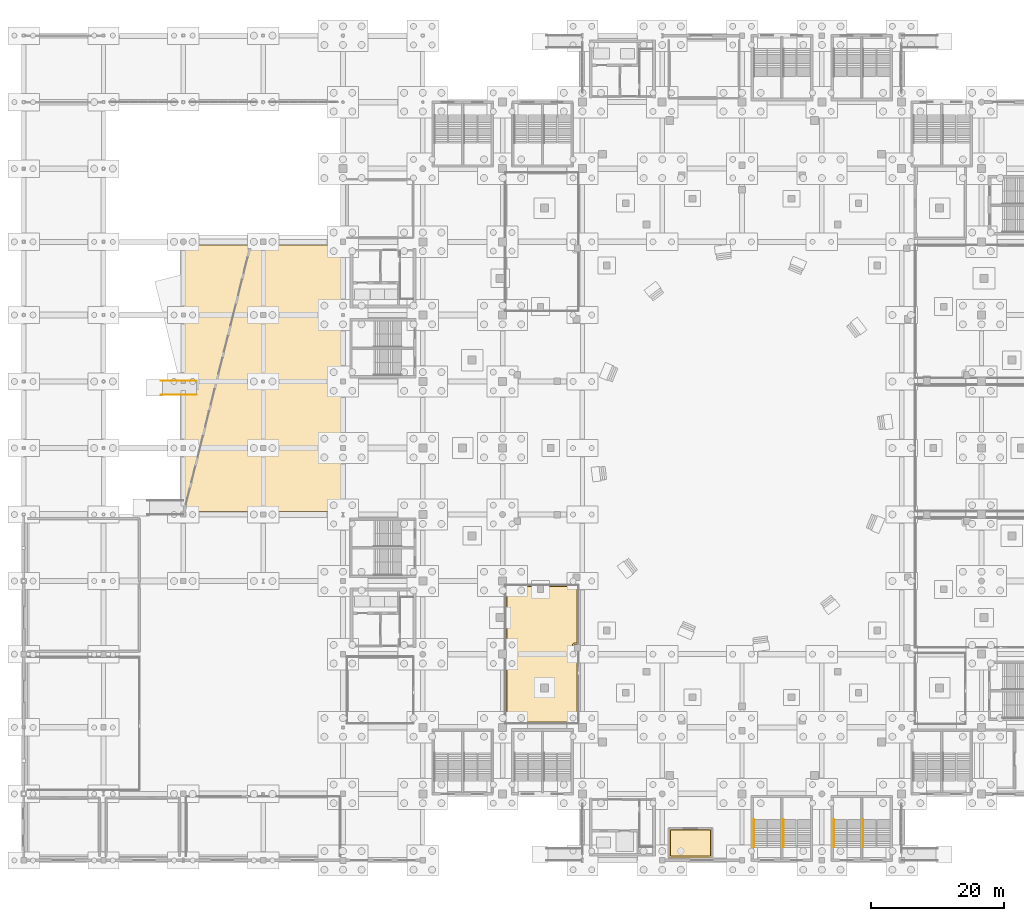
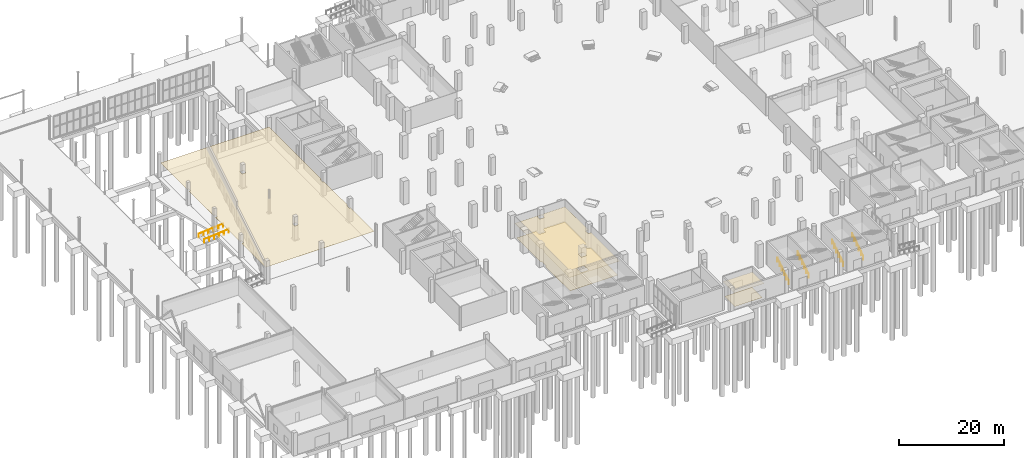
# One storey, part 64 of 70: 6 railings, 5 coverings.
"""IFC4 building model written with IfcOpenShell, lengths in metres."""

from ifc_helpers import new_model, si_unit, direction, frame, origin, origin_2d, place, context, subcontext, project, spatial, polyline, circle, outline, extrude, material, layer, layer_set, type_object, element, save


model = new_model("IFC4")

# Units and contexts
model_context = context("Model", 3, precision=1e-05, world=origin(), true_north=direction((0.0, 1.0)))
body_context = subcontext(model_context, "Body", "Model", "MODEL_VIEW")
ifc_project = project(units=[si_unit("LENGTHUNIT", "METRE"), si_unit("AREAUNIT", "SQUARE_METRE"), si_unit("VOLUMEUNIT", "CUBIC_METRE"), si_unit("PLANEANGLEUNIT", "RADIAN"), si_unit("MASSUNIT", "GRAM", prefix="KILO")], contexts=[model_context])

# Site, building, storey
site_placement = place(None, origin())
site = spatial("IfcSite", under=ifc_project, at=site_placement, CompositionType="ELEMENT")
building_placement = place(site_placement, origin())
building = spatial("IfcBuilding", under=site, at=building_placement, Name="Brinegate Civic Arena", CompositionType="ELEMENT")
storey_placement = place(building_placement, origin())
storey = spatial("IfcBuildingStorey", under=building, at=storey_placement, Name="L00", CompositionType="ELEMENT", Elevation=0.0)

# Coverings
ifc_material_1 = material(Name="Acoustic perforated aluminium ceiling", Category="aluminium")
ifc_layer_1 = layer(ifc_material_1, 0.034912109375, Name="Acoustic perforated aluminium ceiling")
ifc_layer_set_1 = layer_set([ifc_layer_1], Name="Acoustic perforated aluminium ceiling")
covering_type_1 = type_object("IfcCoveringType", Name="CEILING-ACOUSTIC-35", PredefinedType="CEILING", material=ifc_layer_set_1)
covering_1_placement = place(storey_placement, frame((0.0, 0.0, 3.31494140625)))
element("IfcCovering", 1, at=covering_1_placement, inside=storey, type_object=covering_type_1, Name="Acoustic Ceiling L00-001", PredefinedType="CEILING", context=body_context, shape_type="SweptSolid", body=[
    extrude(outline(polyline([(103.501953125, 4.820068359375), (103.50390625, 4.820068359375), (103.506103515625, 4.819091796875), (103.508056640625, 4.818115234375), (103.509033203125, 4.818115234375), (103.510986328125, 4.81689453125), (103.512939453125, 4.81494140625), (103.513916015625, 4.81396484375), (103.514892578125, 4.81298828125), (103.51708984375, 4.81103515625), (103.51806640625, 4.80908203125), (103.51806640625, 4.80810546875), (103.51904296875, 4.805908203125), (103.52001953125, 4.803955078125), (103.52001953125, 4.802001953125), (103.52001953125, 4.800048828125), (103.52001953125, 0.39990234375), (103.52001953125, 0.39794921875), (103.52001953125, 0.39599609375), (103.51904296875, 0.39404296875), (103.51806640625, 0.39208984375), (103.51806640625, 0.39111328125), (103.51708984375, 0.388916015625), (103.514892578125, 0.386962890625), (103.513916015625, 0.385986328125), (103.512939453125, 0.385009765625), (103.510986328125, 0.383056640625), (103.509033203125, 0.382080078125), (103.508056640625, 0.382080078125), (103.506103515625, 0.381103515625), (103.50390625, 0.3798828125), (103.501953125, 0.3798828125), (103.5, 0.3798828125), (97.0, 0.3798828125), (96.998046875, 0.3798828125), (96.99609375, 0.3798828125), (96.993896484375, 0.381103515625), (96.991943359375, 0.382080078125), (96.990966796875, 0.382080078125), (96.989013671875, 0.383056640625), (96.987060546875, 0.385009765625), (96.986083984375, 0.385986328125), (96.985107421875, 0.386962890625), (96.98291015625, 0.388916015625), (96.98193359375, 0.39111328125), (96.98193359375, 0.39208984375), (96.98095703125, 0.39404296875), (96.97998046875, 0.39599609375), (96.97998046875, 0.39794921875), (96.97998046875, 0.39990234375), (96.97998046875, 4.800048828125), (96.97998046875, 4.802001953125), (96.97998046875, 4.803955078125), (96.98095703125, 4.805908203125), (96.98193359375, 4.80810546875), (96.98193359375, 4.80908203125), (96.98291015625, 4.81103515625), (96.985107421875, 4.81298828125), (96.986083984375, 4.81396484375), (96.987060546875, 4.81494140625), (96.989013671875, 4.81689453125), (96.990966796875, 4.818115234375), (96.991943359375, 4.818115234375), (96.993896484375, 4.819091796875), (96.99609375, 4.820068359375), (96.998046875, 4.820068359375), (97.0, 4.820068359375), (103.5, 4.820068359375), (103.501953125, 4.820068359375)])), origin(), (0.0, 0.0, 1.0), 0.03515625),
])
covering_2_placement = place(storey_placement, frame((0.0, 0.0, 3.31494140625)))
element("IfcCovering", 2, at=covering_2_placement, inside=storey, type_object=covering_type_1, Name="Acoustic Ceiling L00-023", PredefinedType="CEILING", context=body_context, shape_type="SweptSolid", body=[
    extrude(outline(polyline([(83.404052734375, 41.419921875), (83.406005859375, 41.4189453125), (83.407958984375, 41.41796875), (83.408935546875, 41.41796875), (83.410888671875, 41.4169921875), (83.4130859375, 41.4150390625), (83.4140625, 41.4140625), (83.4150390625, 41.4130859375), (83.4169921875, 41.410888671875), (83.41796875, 41.408935546875), (83.41796875, 41.407958984375), (83.4189453125, 41.406005859375), (83.419921875, 41.404052734375), (83.419921875, 41.402099609375), (83.419921875, 41.39990234375), (83.419921875, 32.43310546875), (82.76611328125, 32.43310546875), (82.76611328125, 31.462890625), (83.419921875, 31.462890625), (83.419921875, 20.610107421875), (83.389892578125, 20.610107421875), (83.389892578125, 20.580078125), (72.610107421875, 20.580078125), (72.610107421875, 20.610107421875), (72.3798828125, 20.610107421875), (72.3798828125, 30.389892578125), (72.610107421875, 30.389892578125), (72.610107421875, 31.610107421875), (72.3798828125, 31.610107421875), (72.3798828125, 41.389892578125), (72.610107421875, 41.389892578125), (72.610107421875, 41.419921875), (83.39990234375, 41.419921875), (83.402099609375, 41.419921875), (83.404052734375, 41.419921875)]), holes=[polyline([(78.912109375, 26.548095703125), (77.69189453125, 26.548095703125), (77.69189453125, 25.327880859375), (78.912109375, 25.327880859375), (78.912109375, 26.548095703125)]), polyline([(78.174072265625, 41.235107421875), (77.2041015625, 41.235107421875), (77.2041015625, 40.264892578125), (78.174072265625, 40.264892578125), (78.174072265625, 41.235107421875)])]), origin(), (0.0, 0.0, 1.0), 0.03515625),
])
ifc_layer_2 = layer(ifc_material_1, 0.01806640625, Name="Acoustic perforated aluminium ceiling")
ifc_layer_set_2 = layer_set([ifc_layer_2], Name="Acoustic perforated aluminium ceiling")
covering_type_2 = type_object("IfcCoveringType", Name="CEILING-MOISTURE-18", PredefinedType="CEILING", material=ifc_layer_set_2)
covering_3_placement = place(storey_placement, frame((0.0, 0.0, 3.33203125)))
element("IfcCovering", 3, at=covering_3_placement, inside=storey, type_object=covering_type_2, Name="Acoustic Ceiling L00-021", PredefinedType="CEILING", context=body_context, shape_type="SweptSolid", body=[
    extrude(outline(polyline([(47.803955078125, 92.52001953125), (47.805908203125, 92.51904296875), (47.80810546875, 92.51806640625), (47.80908203125, 92.51806640625), (47.81103515625, 92.51708984375), (47.81298828125, 92.514892578125), (47.81396484375, 92.513916015625), (47.81494140625, 92.512939453125), (47.81689453125, 92.510986328125), (47.818115234375, 92.509033203125), (47.818115234375, 92.508056640625), (47.819091796875, 92.506103515625), (47.820068359375, 92.50390625), (47.820068359375, 92.501953125), (47.820068359375, 92.5), (47.820068359375, 82.18505859375), (47.81494140625, 82.18505859375), (47.81494140625, 81.81494140625), (47.820068359375, 81.81494140625), (47.820068359375, 72.409912109375), (47.590087890625, 72.409912109375), (47.590087890625, 71.590087890625), (47.820068359375, 71.590087890625), (47.820068359375, 62.409912109375), (47.590087890625, 62.409912109375), (47.590087890625, 61.590087890625), (47.820068359375, 61.590087890625), (47.820068359375, 52.5), (47.820068359375, 52.498046875), (47.820068359375, 52.49609375), (47.819091796875, 52.493896484375), (47.818115234375, 52.491943359375), (47.818115234375, 52.490966796875), (47.81689453125, 52.489013671875), (47.81494140625, 52.487060546875), (47.81396484375, 52.486083984375), (47.81298828125, 52.485107421875), (47.81103515625, 52.48291015625), (47.80908203125, 52.48193359375), (47.80810546875, 52.48193359375), (47.805908203125, 52.48095703125), (47.803955078125, 52.47998046875), (47.802001953125, 52.47998046875), (47.800048828125, 52.47998046875), (24.0, 52.47998046875), (23.998046875, 52.47998046875), (23.99609375, 52.47998046875), (23.993896484375, 52.48095703125), (23.991943359375, 52.48193359375), (23.990966796875, 52.48193359375), (23.989013671875, 52.48291015625), (23.987060546875, 52.485107421875), (23.986083984375, 52.486083984375), (23.985107421875, 52.487060546875), (23.98291015625, 52.489013671875), (23.98193359375, 52.490966796875), (23.98193359375, 52.491943359375), (23.98095703125, 52.493896484375), (23.97998046875, 52.49609375), (23.97998046875, 52.498046875), (23.97998046875, 52.5), (23.97998046875, 61.639892578125), (24.360107421875, 61.639892578125), (24.360107421875, 62.360107421875), (23.97998046875, 62.360107421875), (23.97998046875, 71.6650390625), (24.3349609375, 71.6650390625), (24.3349609375, 72.3349609375), (23.97998046875, 72.3349609375), (23.97998046875, 81.68994140625), (24.31005859375, 81.68994140625), (24.31005859375, 82.31005859375), (23.97998046875, 82.31005859375), (23.97998046875, 92.5), (23.97998046875, 92.501953125), (23.97998046875, 92.50390625), (23.98095703125, 92.506103515625), (23.98193359375, 92.508056640625), (23.98193359375, 92.509033203125), (23.98291015625, 92.510986328125), (23.985107421875, 92.512939453125), (23.986083984375, 92.513916015625), (23.987060546875, 92.514892578125), (23.989013671875, 92.51708984375), (23.990966796875, 92.51806640625), (23.991943359375, 92.51806640625), (23.993896484375, 92.51904296875), (23.99609375, 92.52001953125), (23.998046875, 92.52001953125), (24.0, 92.52001953125), (47.800048828125, 92.52001953125), (47.802001953125, 92.52001953125), (47.803955078125, 92.52001953125)]), holes=[polyline([(36.409912109375, 62.409912109375), (35.590087890625, 62.409912109375), (35.590087890625, 61.590087890625), (36.409912109375, 61.590087890625), (36.409912109375, 62.409912109375)]), polyline([(36.409912109375, 82.409912109375), (35.590087890625, 82.409912109375), (35.590087890625, 81.590087890625), (36.409912109375, 81.590087890625), (36.409912109375, 82.409912109375)])]), origin(), (0.0, 0.0, 1.0), 0.01806640625),
])
ifc_material_2 = material(Name="Polished coral terrazzo flooring")
ifc_layer_3 = layer(ifc_material_2, 0.013916015625, Name="Polished coral terrazzo flooring")
ifc_layer_set_3 = layer_set([ifc_layer_3], Name="Polished coral terrazzo flooring")
covering_type_3 = type_object("IfcCoveringType", Name="FLOORING-ACOUSTIC-14", PredefinedType="FLOORING", material=ifc_layer_set_3)
covering_4_placement = place(storey_placement, origin())
element("IfcCovering", 4, at=covering_4_placement, inside=storey, type_object=covering_type_3, Name="Flooring L00-001", PredefinedType="FLOORING", context=body_context, shape_type="SweptSolid", body=[
    extrude(outline(polyline([(97.22998046875, 0.6298828125), (97.22998046875, 4.570068359375), (103.27001953125, 4.570068359375), (103.27001953125, 0.6298828125), (97.22998046875, 0.6298828125)])), origin(), (0.0, 0.0, 1.0), 0.013916015625),
])
covering_5_placement = place(storey_placement, origin())
element("IfcCovering", 5, at=covering_5_placement, inside=storey, type_object=covering_type_3, Name="Flooring L00-023", PredefinedType="FLOORING", context=body_context, shape_type="SweptSolid", body=[
    extrude(outline(polyline([(72.72900390625, 20.830078125), (72.72802734375, 20.830078125), (72.7060546875, 20.841064453125), (72.68310546875, 20.84912109375), (72.658935546875, 20.85498046875), (72.635009765625, 20.85888671875), (72.6298828125, 20.85888671875), (72.6298828125, 30.14111328125), (72.635009765625, 30.14111328125), (72.658935546875, 30.14501953125), (72.68310546875, 30.15087890625), (72.7060546875, 30.158935546875), (72.72802734375, 30.169921875), (72.7490234375, 30.181884765625), (72.76904296875, 30.197021484375), (72.787109375, 30.212890625), (72.802978515625, 30.23095703125), (72.818115234375, 30.2509765625), (72.830078125, 30.27197265625), (72.841064453125, 30.2939453125), (72.84912109375, 30.31689453125), (72.85498046875, 30.341064453125), (72.85888671875, 30.364990234375), (72.860107421875, 30.389892578125), (72.860107421875, 31.610107421875), (72.85888671875, 31.635009765625), (72.85498046875, 31.658935546875), (72.84912109375, 31.68310546875), (72.841064453125, 31.7060546875), (72.830078125, 31.72802734375), (72.818115234375, 31.7490234375), (72.802978515625, 31.76904296875), (72.787109375, 31.787109375), (72.76904296875, 31.802978515625), (72.7490234375, 31.818115234375), (72.72802734375, 31.830078125), (72.7060546875, 31.841064453125), (72.68310546875, 31.84912109375), (72.658935546875, 31.85498046875), (72.635009765625, 31.85888671875), (72.6298828125, 31.85888671875), (72.6298828125, 41.14111328125), (72.635009765625, 41.14111328125), (72.658935546875, 41.14501953125), (72.68310546875, 41.15087890625), (72.7060546875, 41.158935546875), (72.72802734375, 41.169921875), (72.72900390625, 41.169921875), (76.9541015625, 41.169921875), (76.9541015625, 40.264892578125), (76.955078125, 40.239990234375), (76.958984375, 40.216064453125), (76.965087890625, 40.19189453125), (76.972900390625, 40.1689453125), (76.98388671875, 40.14697265625), (76.99609375, 40.1259765625), (77.010986328125, 40.10595703125), (77.027099609375, 40.087890625), (77.044921875, 40.072021484375), (77.06494140625, 40.056884765625), (77.0859375, 40.044921875), (77.10791015625, 40.033935546875), (77.131103515625, 40.02587890625), (77.155029296875, 40.02001953125), (77.178955078125, 40.01611328125), (77.2041015625, 40.014892578125), (78.174072265625, 40.014892578125), (78.198974609375, 40.01611328125), (78.222900390625, 40.02001953125), (78.2470703125, 40.02587890625), (78.27001953125, 40.033935546875), (78.2919921875, 40.044921875), (78.31298828125, 40.056884765625), (78.3330078125, 40.072021484375), (78.35107421875, 40.087890625), (78.366943359375, 40.10595703125), (78.382080078125, 40.1259765625), (78.39404296875, 40.14697265625), (78.405029296875, 40.1689453125), (78.4130859375, 40.19189453125), (78.4189453125, 40.216064453125), (78.423095703125, 40.239990234375), (78.424072265625, 40.264892578125), (78.424072265625, 41.169921875), (83.169921875, 41.169921875), (83.169921875, 32.68310546875), (82.76611328125, 32.68310546875), (82.740966796875, 32.681884765625), (82.717041015625, 32.677978515625), (82.693115234375, 32.672119140625), (82.669921875, 32.6640625), (82.64794921875, 32.653076171875), (82.626953125, 32.64111328125), (82.60693359375, 32.6259765625), (82.589111328125, 32.610107421875), (82.572998046875, 32.592041015625), (82.55810546875, 32.572021484375), (82.5458984375, 32.551025390625), (82.534912109375, 32.529052734375), (82.527099609375, 32.506103515625), (82.52099609375, 32.48193359375), (82.51708984375, 32.4580078125), (82.51611328125, 32.43310546875), (82.51611328125, 31.462890625), (82.51708984375, 31.43798828125), (82.52099609375, 31.4140625), (82.527099609375, 31.389892578125), (82.534912109375, 31.366943359375), (82.5458984375, 31.344970703125), (82.55810546875, 31.323974609375), (82.572998046875, 31.303955078125), (82.589111328125, 31.285888671875), (82.60693359375, 31.27001953125), (82.626953125, 31.2548828125), (82.64794921875, 31.242919921875), (82.669921875, 31.23193359375), (82.693115234375, 31.22412109375), (82.717041015625, 31.218017578125), (82.740966796875, 31.214111328125), (82.76611328125, 31.212890625), (83.169921875, 31.212890625), (83.169921875, 20.830078125), (72.72900390625, 20.830078125)]), holes=[polyline([(79.162109375, 26.548095703125), (79.160888671875, 26.572998046875), (79.156982421875, 26.596923828125), (79.15087890625, 26.62109375), (79.14306640625, 26.64404296875), (79.132080078125, 26.666015625), (79.1201171875, 26.68701171875), (79.10498046875, 26.70703125), (79.089111328125, 26.72509765625), (79.071044921875, 26.740966796875), (79.051025390625, 26.756103515625), (79.030029296875, 26.76806640625), (79.008056640625, 26.779052734375), (78.985107421875, 26.787109375), (78.9609375, 26.79296875), (78.93701171875, 26.797119140625), (78.912109375, 26.798095703125), (77.69189453125, 26.798095703125), (77.6669921875, 26.797119140625), (77.64306640625, 26.79296875), (77.618896484375, 26.787109375), (77.595947265625, 26.779052734375), (77.573974609375, 26.76806640625), (77.552978515625, 26.756103515625), (77.532958984375, 26.740966796875), (77.514892578125, 26.72509765625), (77.4990234375, 26.70703125), (77.48388671875, 26.68701171875), (77.471923828125, 26.666015625), (77.4609375, 26.64404296875), (77.452880859375, 26.62109375), (77.447021484375, 26.596923828125), (77.443115234375, 26.572998046875), (77.44189453125, 26.548095703125), (77.44189453125, 25.327880859375), (77.443115234375, 25.302978515625), (77.447021484375, 25.279052734375), (77.452880859375, 25.2548828125), (77.4609375, 25.23193359375), (77.471923828125, 25.2099609375), (77.48388671875, 25.18896484375), (77.4990234375, 25.1689453125), (77.514892578125, 25.15087890625), (77.532958984375, 25.135009765625), (77.552978515625, 25.1201171875), (77.573974609375, 25.10791015625), (77.595947265625, 25.096923828125), (77.618896484375, 25.089111328125), (77.64306640625, 25.0830078125), (77.6669921875, 25.0791015625), (77.69189453125, 25.077880859375), (78.912109375, 25.077880859375), (78.93701171875, 25.0791015625), (78.9609375, 25.0830078125), (78.985107421875, 25.089111328125), (79.008056640625, 25.096923828125), (79.030029296875, 25.10791015625), (79.051025390625, 25.1201171875), (79.071044921875, 25.135009765625), (79.089111328125, 25.15087890625), (79.10498046875, 25.1689453125), (79.1201171875, 25.18896484375), (79.132080078125, 25.2099609375), (79.14306640625, 25.23193359375), (79.15087890625, 25.2548828125), (79.156982421875, 25.279052734375), (79.160888671875, 25.302978515625), (79.162109375, 25.327880859375), (79.162109375, 26.548095703125)])]), origin(), (0.0, 0.0, 1.0), 0.013916015625),
])

# Railings
ifc_material_3 = material(Name="Architectural stainless steel balustrade", Category="steel")
railing_type_1 = type_object("IfcRailingType", Name="RAIL-EXT-HANDRAIL-920", PredefinedType="HANDRAIL", material=ifc_material_3)
for number, where, name in (
    (6, (20.60009765625, 70.0, -0.449951171875), "Accessible Ramp Handrail RP-02-A"),
    (7, (20.60009765625, 72.10009765625, -0.449951171875), "Accessible Ramp Handrail RP-02-B"),
):
    element("IfcRailing", number, at=place(storey_placement, frame(where)), inside=storey, type_object=railing_type_1, Name=name, PredefinedType="HANDRAIL", context=body_context, shape_type="SweptSolid", body=[
        extrude(circle(Radius=0.02392578125, at=origin_2d()), frame((0.00146484375, 0.0, 0.89599609375), z_axis=(0.996546379678, 0.0, 0.083038022323), x_axis=(0.0, 1.0, 0.0)), (0.0, 0.0, 1.0), 5.41552734375),
        extrude(circle(Radius=0.02099609375, at=origin_2d()), origin(), (0.0, 0.0, 1.0), 0.869873046875),
        extrude(circle(Radius=0.02099609375, at=origin_2d()), frame((1.080078125, 0.0, 0.090087890625)), (0.0, 0.0, 1.0), 0.869873046875),
        extrude(circle(Radius=0.02099609375, at=origin_2d()), frame((2.159912109375, 0.0, 0.179931640625)), (0.0, 0.0, 1.0), 0.869873046875),
        extrude(circle(Radius=0.02099609375, at=origin_2d()), frame((3.239990234375, 0.0, 0.27001953125)), (0.0, 0.0, 1.0), 0.869873046875),
        extrude(circle(Radius=0.02099609375, at=origin_2d()), frame((4.31982421875, 0.0, 0.35986328125)), (0.0, 0.0, 1.0), 0.869873046875),
        extrude(circle(Radius=0.02099609375, at=origin_2d()), frame((5.39990234375, 0.0, 0.449951171875)), (0.0, 0.0, 1.0), 0.869873046875),
    ])
railing_type_2 = type_object("IfcRailingType", Name="RAIL-STAIR-HANDRAIL-900", PredefinedType="HANDRAIL", material=ifc_material_3)
for number, where, name in (
    (8, (121.804931640625, 1.969970703125, 0.0), "Stair Pitch Handrail ST-04A L00"),
    (9, (126.22509765625, 1.969970703125, 0.0), "Stair Pitch Handrail ST-04B L00"),
    (10, (109.804931640625, 1.969970703125, 0.0), "Stair Pitch Handrail ST-16A L00"),
    (11, (114.22509765625, 1.969970703125, 0.0), "Stair Pitch Handrail ST-16B L00"),
):
    element("IfcRailing", number, at=place(storey_placement, frame(where)), inside=storey, type_object=railing_type_2, Name=name, PredefinedType="HANDRAIL", context=body_context, shape_type="SweptSolid", body=[
        extrude(circle(Radius=0.02392578125, at=origin_2d()), frame((0.0, 0.001220703125, 0.876708984375), z_axis=(0.0, 0.841180064094, 0.540755119968), x_axis=(-1.0, 0.0, 0.0)), (0.0, 0.0, 1.0), 4.989990234375),
        extrude(circle(Radius=0.02099609375, at=origin_2d()), origin(), (0.0, 0.0, 1.0), 0.849853515625),
        extrude(circle(Radius=0.02099609375, at=origin_2d()), frame((0.0, 0.840087890625, 0.5400390625)), (0.0, 0.0, 1.0), 0.849853515625),
        extrude(circle(Radius=0.02099609375, at=origin_2d()), frame((0.0, 1.679931640625, 1.080078125)), (0.0, 0.0, 1.0), 0.849853515625),
        extrude(circle(Radius=0.02099609375, at=origin_2d()), frame((0.0, 2.52001953125, 1.619873046875)), (0.0, 0.0, 1.0), 0.849853515625),
        extrude(circle(Radius=0.02099609375, at=origin_2d()), frame((0.0, 3.35986328125, 2.159912109375)), (0.0, 0.0, 1.0), 0.849853515625),
        extrude(circle(Radius=0.02099609375, at=origin_2d()), frame((0.0, 4.199951171875, 2.699951171875)), (0.0, 0.0, 1.0), 0.849853515625),
    ])

save(model, "model.ifc")
